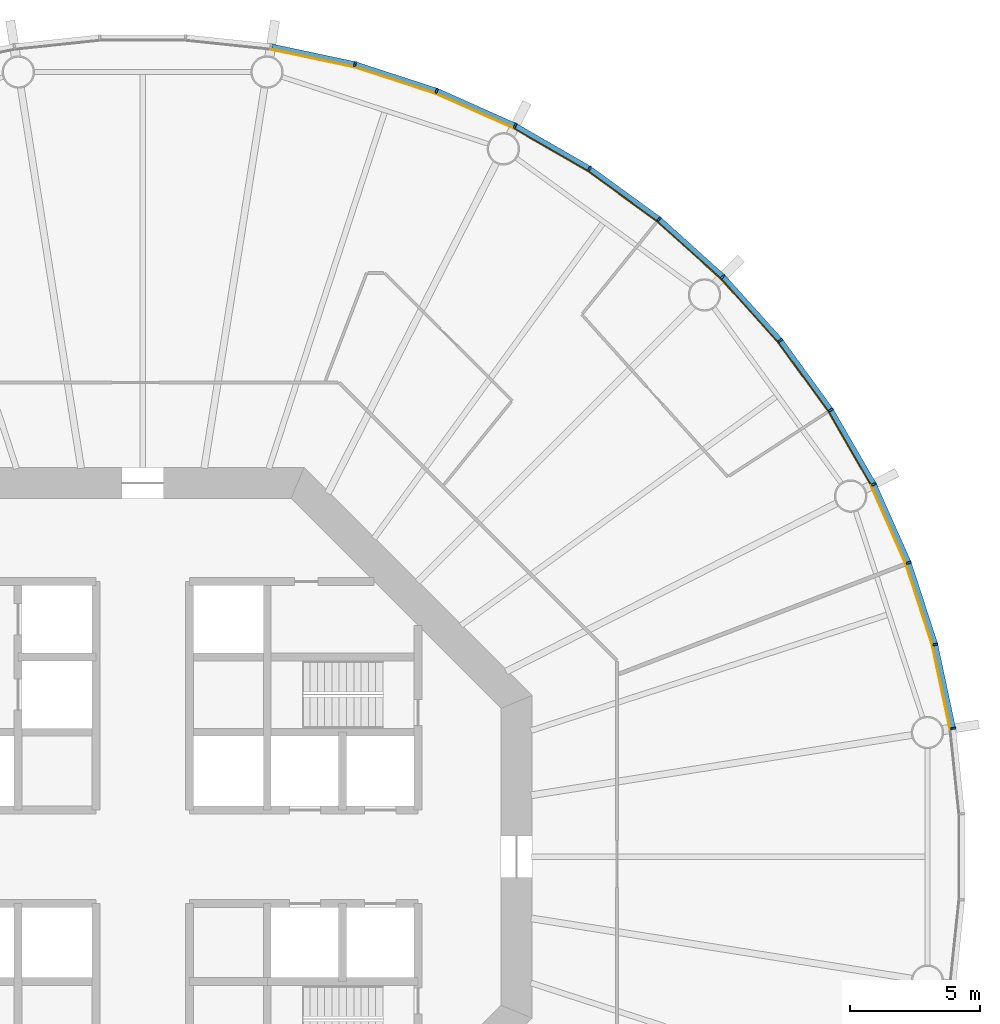
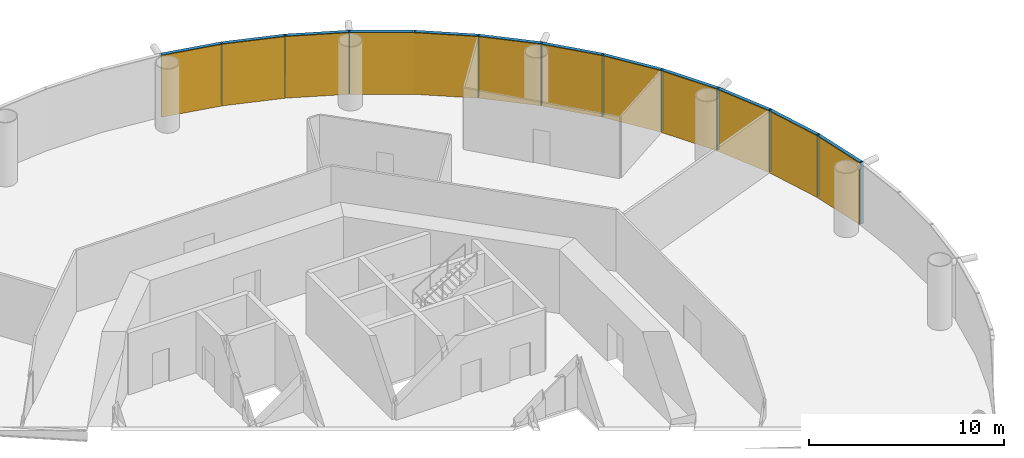
# One storey, part 11 of 12: 24 members, 4 curtain walls.
"""IFC4 building model written with IfcOpenShell, lengths in metres."""

from ifc_helpers import new_model, si_unit, direction, frame, origin, origin_2d, place, context, subcontext, project, spatial, polyline, rectangle, outline, extrude, material, layer, layer_set, material_profile, profile_set, type_object, element, aggregate, save


model = new_model("IFC4")

# Units and contexts
model_context = context("Model", 3, precision=1e-05, world=origin(), true_north=direction((0.0, 1.0)))
body_context = subcontext(model_context, "Body", "Model", "MODEL_VIEW")
ifc_project = project(units=[si_unit("LENGTHUNIT", "METRE"), si_unit("AREAUNIT", "SQUARE_METRE"), si_unit("VOLUMEUNIT", "CUBIC_METRE"), si_unit("PLANEANGLEUNIT", "RADIAN"), si_unit("MASSUNIT", "GRAM", prefix="KILO")], contexts=[model_context])

# Member
ifc_material_1 = material(Name="Anodised aluminium", Category="aluminium")
ifc_material_profile_1 = material_profile(ifc_material_1, rectangle(XDim=0.070068359375, YDim=0.199951171875, at=origin_2d()), Name="Mullion 70 x 200 mm anodised aluminium")
ifc_profile_set_1 = profile_set([ifc_material_profile_1], Name="Anodised aluminium")
member_type_1 = type_object("IfcMemberType", Name="Mullion 70 x 200 mm anodised aluminium", PredefinedType="MULLION", material=ifc_profile_set_1)
site_placement = place(None, origin())
building_placement = place(site_placement, origin())
storey_placement = place(building_placement, frame((0.0, 0.0, 128.0)))
member_1_placement = place(storey_placement, frame((121.2109375, 84.943359375, 0.0), z_axis=(0.0, 0.0, 1.0), x_axis=(-0.15643446504, 0.987688340595, 0.0)))
member_1 = element("IfcMember", 1, at=member_1_placement, type_object=member_type_1, Name="MULLION L29-00", PredefinedType="MULLION", context=body_context, shape_type="SweptSolid", body=[
    extrude(rectangle(XDim=0.070068359375, YDim=0.199951171875, at=origin_2d()), origin(), (0.0, 0.0, 1.0), 3.85009765625),
])

member_2_placement = place(storey_placement, frame((120.523193359375, 88.1787109375, 0.0), z_axis=(0.0, 0.0, 1.0), x_axis=(-0.258819045103, 0.965925826289, 0.0)))
member_2 = element("IfcMember", 2, at=member_2_placement, type_object=member_type_1, Name="MULLION L29-01", PredefinedType="MULLION", context=body_context, shape_type="SweptSolid", body=[
    extrude(rectangle(XDim=0.070068359375, YDim=0.199951171875, at=origin_2d()), origin(), (0.0, 0.0, 1.0), 3.85009765625),
])

member_3_placement = place(storey_placement, frame((119.501220703125, 91.324462890625, 0.0), z_axis=(0.0, 0.0, 1.0), x_axis=(-0.358367949545, 0.933580426497, 0.0)))
member_3 = element("IfcMember", 3, at=member_3_placement, type_object=member_type_1, Name="MULLION L29-02", PredefinedType="MULLION", context=body_context, shape_type="SweptSolid", body=[
    extrude(rectangle(XDim=0.070068359375, YDim=0.199951171875, at=origin_2d()), origin(), (0.0, 0.0, 1.0), 3.85009765625),
])

member_4_placement = place(storey_placement, frame((118.15576171875, 94.34619140625, 0.0), z_axis=(0.0, 0.0, 1.0), x_axis=(-0.45399049974, 0.891006524188, 0.0)))
member_4 = element("IfcMember", 4, at=member_4_placement, type_object=member_type_1, Name="MULLION L29-03", PredefinedType="MULLION", context=body_context, shape_type="SweptSolid", body=[
    extrude(rectangle(XDim=0.070068359375, YDim=0.199951171875, at=origin_2d()), origin(), (0.0, 0.0, 1.0), 3.85009765625),
])

member_5_placement = place(storey_placement, frame((116.501953125, 97.210693359375, 0.0), z_axis=(0.0, 0.0, 1.0), x_axis=(-0.544639035015, 0.838670567945, 0.0)))
member_5 = element("IfcMember", 5, at=member_5_placement, type_object=member_type_1, Name="MULLION L29-04", PredefinedType="MULLION", context=body_context, shape_type="SweptSolid", body=[
    extrude(rectangle(XDim=0.070068359375, YDim=0.199951171875, at=origin_2d()), origin(), (0.0, 0.0, 1.0), 3.85009765625),
])

member_6_placement = place(storey_placement, frame((114.557861328125, 99.886474609375, 0.0), z_axis=(0.0, 0.0, 1.0), x_axis=(-0.62932039105, 0.777145961457, 0.0)))
member_6 = element("IfcMember", 6, at=member_6_placement, type_object=member_type_1, Name="MULLION L29-05", PredefinedType="MULLION", context=body_context, shape_type="SweptSolid", body=[
    extrude(rectangle(XDim=0.070068359375, YDim=0.199951171875, at=origin_2d()), origin(), (0.0, 0.0, 1.0), 3.85009765625),
])

member_7_placement = place(storey_placement, frame((112.344482421875, 102.344482421875, 0.0), z_axis=(0.0, 0.0, 1.0), x_axis=(-0.707106781187, 0.707106781187, 0.0)))
member_7 = element("IfcMember", 7, at=member_7_placement, type_object=member_type_1, Name="MULLION L29-06", PredefinedType="MULLION", context=body_context, shape_type="SweptSolid", body=[
    extrude(rectangle(XDim=0.070068359375, YDim=0.199951171875, at=origin_2d()), origin(), (0.0, 0.0, 1.0), 3.85009765625),
])

member_8_placement = place(storey_placement, frame((109.886474609375, 104.557861328125, 0.0), z_axis=(0.0, 0.0, 1.0), x_axis=(-0.777145961457, 0.62932039105, 0.0)))
member_8 = element("IfcMember", 8, at=member_8_placement, type_object=member_type_1, Name="MULLION L29-07", PredefinedType="MULLION", context=body_context, shape_type="SweptSolid", body=[
    extrude(rectangle(XDim=0.070068359375, YDim=0.199951171875, at=origin_2d()), origin(), (0.0, 0.0, 1.0), 3.85009765625),
])

member_9_placement = place(storey_placement, frame((107.210693359375, 106.501953125, 0.0), z_axis=(0.0, 0.0, 1.0), x_axis=(-0.838670567945, 0.544639035015, 0.0)))
member_9 = element("IfcMember", 9, at=member_9_placement, type_object=member_type_1, Name="MULLION L29-08", PredefinedType="MULLION", context=body_context, shape_type="SweptSolid", body=[
    extrude(rectangle(XDim=0.070068359375, YDim=0.199951171875, at=origin_2d()), origin(), (0.0, 0.0, 1.0), 3.85009765625),
])

member_10_placement = place(storey_placement, frame((104.34619140625, 108.15576171875, 0.0), z_axis=(0.0, 0.0, 1.0), x_axis=(-0.891006524188, 0.45399049974, 0.0)))
member_10 = element("IfcMember", 10, at=member_10_placement, type_object=member_type_1, Name="MULLION L29-09", PredefinedType="MULLION", context=body_context, shape_type="SweptSolid", body=[
    extrude(rectangle(XDim=0.070068359375, YDim=0.199951171875, at=origin_2d()), origin(), (0.0, 0.0, 1.0), 3.85009765625),
])

member_11_placement = place(storey_placement, frame((101.324462890625, 109.501220703125, 0.0), z_axis=(0.0, 0.0, 1.0), x_axis=(-0.933580426497, 0.358367949545, 0.0)))
member_11 = element("IfcMember", 11, at=member_11_placement, type_object=member_type_1, Name="MULLION L29-10", PredefinedType="MULLION", context=body_context, shape_type="SweptSolid", body=[
    extrude(rectangle(XDim=0.070068359375, YDim=0.199951171875, at=origin_2d()), origin(), (0.0, 0.0, 1.0), 3.85009765625),
])

member_12_placement = place(storey_placement, frame((98.1787109375, 110.523193359375, 0.0), z_axis=(0.0, 0.0, 1.0), x_axis=(-0.965925826289, 0.258819045103, 0.0)))
member_12 = element("IfcMember", 12, at=member_12_placement, type_object=member_type_1, Name="MULLION L29-11", PredefinedType="MULLION", context=body_context, shape_type="SweptSolid", body=[
    extrude(rectangle(XDim=0.070068359375, YDim=0.199951171875, at=origin_2d()), origin(), (0.0, 0.0, 1.0), 3.85009765625),
])

ifc_material_2 = material(Name="Anodised aluminium", Category="aluminium")
ifc_material_profile_2 = material_profile(ifc_material_2, rectangle(XDim=0.199951171875, YDim=0.18994140625, at=origin_2d()), Name="Transom 190 x 200 mm anodised aluminium")
ifc_profile_set_2 = profile_set([ifc_material_profile_2], Name="Anodised aluminium")
member_type_2 = type_object("IfcMemberType", Name="Transom 190 x 200 mm anodised aluminium", PredefinedType="USERDEFINED", material=ifc_profile_set_2)
member_13_placement = place(storey_placement, frame((121.20263671875, 84.982666015625, 3.7548828125), z_axis=(-0.207885898771, 0.978153082647, 0.0), x_axis=(-0.978153082647, -0.207885898771, 0.0)))
member_13 = element("IfcMember", 13, at=member_13_placement, type_object=member_type_2, Name="TRANSOM L29-00", ObjectType="TRANSOM", PredefinedType="USERDEFINED", context=body_context, shape_type="SweptSolid", body=[
    extrude(rectangle(XDim=0.199951171875, YDim=0.18994140625, at=origin_2d()), origin(), (0.0, 0.0, 1.0), 3.227294921875),
])

member_14_placement = place(storey_placement, frame((120.510986328125, 88.217041015625, 3.7548828125), z_axis=(-0.309046726844, 0.951046855117, 0.0), x_axis=(-0.951046855117, -0.309046726844, 0.0)))
member_14 = element("IfcMember", 14, at=member_14_placement, type_object=member_type_2, Name="TRANSOM L29-01", ObjectType="TRANSOM", PredefinedType="USERDEFINED", context=body_context, shape_type="SweptSolid", body=[
    extrude(rectangle(XDim=0.199951171875, YDim=0.18994140625, at=origin_2d()), origin(), (0.0, 0.0, 1.0), 3.22705078125),
])

member_15_placement = place(storey_placement, frame((119.48486328125, 91.361328125, 3.7548828125), z_axis=(-0.406728032322, 0.913549291349, 0.0), x_axis=(-0.913549291349, -0.406728032322, 0.0)))
member_15 = element("IfcMember", 15, at=member_15_placement, type_object=member_type_2, Name="TRANSOM L29-02", ObjectType="TRANSOM", PredefinedType="USERDEFINED", context=body_context, shape_type="SweptSolid", body=[
    extrude(rectangle(XDim=0.199951171875, YDim=0.18994140625, at=origin_2d()), origin(), (0.0, 0.0, 1.0), 3.22705078125),
])

member_16_placement = place(storey_placement, frame((118.1357421875, 94.381103515625, 3.7548828125), z_axis=(-0.500004055213, 0.866023062494, 0.0), x_axis=(-0.866023062494, -0.500004055213, 0.0)))
member_16 = element("IfcMember", 16, at=member_16_placement, type_object=member_type_2, Name="TRANSOM L29-03", ObjectType="TRANSOM", PredefinedType="USERDEFINED", context=body_context, shape_type="SweptSolid", body=[
    extrude(rectangle(XDim=0.199951171875, YDim=0.18994140625, at=origin_2d()), origin(), (0.0, 0.0, 1.0), 3.22705078125),
])

member_17_placement = place(storey_placement, frame((116.478515625, 97.2431640625, 3.7548828125), z_axis=(-0.587802790201, 0.809004252048, 0.0), x_axis=(-0.809004252048, -0.587802790201, 0.0)))
member_17 = element("IfcMember", 17, at=member_17_placement, type_object=member_type_2, Name="TRANSOM L29-04", ObjectType="TRANSOM", PredefinedType="USERDEFINED", context=body_context, shape_type="SweptSolid", body=[
    extrude(rectangle(XDim=0.199951171875, YDim=0.18994140625, at=origin_2d()), origin(), (0.0, 0.0, 1.0), 3.227294921875),
])

member_18_placement = place(storey_placement, frame((114.531005859375, 99.91650390625, 3.7548828125), z_axis=(-0.669144438484, 0.743132370743, 0.0), x_axis=(-0.743132370743, -0.669144438484, 0.0)))
member_18 = element("IfcMember", 18, at=member_18_placement, type_object=member_type_2, Name="TRANSOM L29-05", ObjectType="TRANSOM", PredefinedType="USERDEFINED", context=body_context, shape_type="SweptSolid", body=[
    extrude(rectangle(XDim=0.199951171875, YDim=0.18994140625, at=origin_2d()), origin(), (0.0, 0.0, 1.0), 3.22705078125),
])

member_19_placement = place(storey_placement, frame((112.314697265625, 102.37158203125, 3.7548828125), z_axis=(-0.743132370743, 0.669144438484, 0.0), x_axis=(-0.669144438484, -0.743132370743, 0.0)))
member_19 = element("IfcMember", 19, at=member_19_placement, type_object=member_type_2, Name="TRANSOM L29-06", ObjectType="TRANSOM", PredefinedType="USERDEFINED", context=body_context, shape_type="SweptSolid", body=[
    extrude(rectangle(XDim=0.199951171875, YDim=0.18994140625, at=origin_2d()), origin(), (0.0, 0.0, 1.0), 3.22705078125),
])

member_20_placement = place(storey_placement, frame((109.85400390625, 104.58154296875, 3.7548828125), z_axis=(-0.809004252048, 0.587802790201, 0.0), x_axis=(-0.587802790201, -0.809004252048, 0.0)))
member_20 = element("IfcMember", 20, at=member_20_placement, type_object=member_type_2, Name="TRANSOM L29-07", ObjectType="TRANSOM", PredefinedType="USERDEFINED", context=body_context, shape_type="SweptSolid", body=[
    extrude(rectangle(XDim=0.199951171875, YDim=0.18994140625, at=origin_2d()), origin(), (0.0, 0.0, 1.0), 3.227294921875),
])

member_21_placement = place(storey_placement, frame((107.17578125, 106.522216796875, 3.7548828125), z_axis=(-0.866023062494, 0.500004055213, 0.0), x_axis=(-0.500004055213, -0.866023062494, 0.0)))
member_21 = element("IfcMember", 21, at=member_21_placement, type_object=member_type_2, Name="TRANSOM L29-08", ObjectType="TRANSOM", PredefinedType="USERDEFINED", context=body_context, shape_type="SweptSolid", body=[
    extrude(rectangle(XDim=0.199951171875, YDim=0.18994140625, at=origin_2d()), origin(), (0.0, 0.0, 1.0), 3.22705078125),
])

member_22_placement = place(storey_placement, frame((104.309326171875, 108.17236328125, 3.7548828125), z_axis=(-0.913549291349, 0.406728032322, 0.0), x_axis=(-0.406728032322, -0.913549291349, 0.0)))
member_22 = element("IfcMember", 22, at=member_22_placement, type_object=member_type_2, Name="TRANSOM L29-09", ObjectType="TRANSOM", PredefinedType="USERDEFINED", context=body_context, shape_type="SweptSolid", body=[
    extrude(rectangle(XDim=0.199951171875, YDim=0.18994140625, at=origin_2d()), origin(), (0.0, 0.0, 1.0), 3.22705078125),
])

member_23_placement = place(storey_placement, frame((101.2861328125, 109.513671875, 3.7548828125), z_axis=(-0.951046855117, 0.309046726844, 0.0), x_axis=(-0.309046726844, -0.951046855117, 0.0)))
member_23 = element("IfcMember", 23, at=member_23_placement, type_object=member_type_2, Name="TRANSOM L29-10", ObjectType="TRANSOM", PredefinedType="USERDEFINED", context=body_context, shape_type="SweptSolid", body=[
    extrude(rectangle(XDim=0.199951171875, YDim=0.18994140625, at=origin_2d()), origin(), (0.0, 0.0, 1.0), 3.22705078125),
])

member_24_placement = place(storey_placement, frame((98.139404296875, 110.53173828125, 3.7548828125), z_axis=(-0.978153082647, 0.207885898771, 0.0), x_axis=(-0.207885898771, -0.978153082647, 0.0)))
member_24 = element("IfcMember", 24, at=member_24_placement, type_object=member_type_2, Name="TRANSOM L29-11", ObjectType="TRANSOM", PredefinedType="USERDEFINED", context=body_context, shape_type="SweptSolid", body=[
    extrude(rectangle(XDim=0.199951171875, YDim=0.18994140625, at=origin_2d()), origin(), (0.0, 0.0, 1.0), 3.227294921875),
])

# Site, building, storey
site = spatial("IfcSite", under=ifc_project, at=site_placement, CompositionType="ELEMENT")
building = spatial("IfcBuilding", under=site, at=building_placement, Name="Entoto Ring Tower", CompositionType="ELEMENT")
storey = spatial("IfcBuildingStorey", under=building, at=storey_placement, Name="L29", CompositionType="ELEMENT", Elevation=128.0)

# Curtain wall
ifc_material_3 = material(Name="Clear low-iron glass", Category="glass")
ifc_layer = layer(ifc_material_3, 0.035888671875)
ifc_layer_set = layer_set([ifc_layer], Name="Clear low-iron glass")
curtain_wall_type = type_object("IfcCurtainWallType", Name="Curtain wall system CW2 glazing 36 mm", PredefinedType="NOTDEFINED", material=ifc_layer_set)
curtain_wall_1_placement = place(storey_placement, origin())
curtain_wall_1 = element("IfcCurtainWall", 25, at=curtain_wall_1_placement, inside=storey, type_object=curtain_wall_type, Name="CW2 L29-01", PredefinedType="NOTDEFINED", context=body_context, shape_type="SweptSolid", body=[
    extrude(outline(polyline([(121.1123046875, 84.927734375), (120.4267578125, 88.15283203125), (119.40771484375, 91.28857421875), (118.066650390625, 94.30078125), (118.03466796875, 94.284423828125), (119.3740234375, 91.275634765625), (120.391845703125, 88.1435546875), (121.07666015625, 84.922119140625), (121.1123046875, 84.927734375)])), origin(), (0.0, 0.0, 1.0), 3.85009765625),
])

aggregate(curtain_wall_1, [member_1, member_2, member_3, member_13, member_14, member_15])

curtain_wall_2_placement = place(storey_placement, origin())
curtain_wall_2 = element("IfcCurtainWall", 26, at=curtain_wall_2_placement, inside=storey, type_object=curtain_wall_type, Name="CW2 L29-02", PredefinedType="NOTDEFINED", context=body_context, shape_type="SweptSolid", body=[
    extrude(outline(polyline([(118.066650390625, 94.30078125), (116.418212890625, 97.15625), (114.47998046875, 99.823486328125), (112.27392578125, 102.27392578125), (112.248291015625, 102.248291015625), (114.4521484375, 99.801025390625), (116.387939453125, 97.136474609375), (118.03466796875, 94.284423828125), (118.066650390625, 94.30078125)])), origin(), (0.0, 0.0, 1.0), 3.85009765625),
])

aggregate(curtain_wall_2, [member_4, member_5, member_6, member_16, member_17, member_18])

curtain_wall_3_placement = place(storey_placement, origin())
curtain_wall_3 = element("IfcCurtainWall", 27, at=curtain_wall_3_placement, inside=storey, type_object=curtain_wall_type, Name="CW2 L29-03", PredefinedType="NOTDEFINED", context=body_context, shape_type="SweptSolid", body=[
    extrude(outline(polyline([(112.27392578125, 102.27392578125), (109.823486328125, 104.47998046875), (107.15625, 106.418212890625), (104.30078125, 108.066650390625), (104.284423828125, 108.03466796875), (107.136474609375, 106.387939453125), (109.801025390625, 104.4521484375), (112.248291015625, 102.248291015625), (112.27392578125, 102.27392578125)])), origin(), (0.0, 0.0, 1.0), 3.85009765625),
])

aggregate(curtain_wall_3, [member_7, member_8, member_9, member_19, member_20, member_21])

curtain_wall_4_placement = place(storey_placement, origin())
curtain_wall_4 = element("IfcCurtainWall", 28, at=curtain_wall_4_placement, inside=storey, type_object=curtain_wall_type, Name="CW2 L29-04", PredefinedType="NOTDEFINED", context=body_context, shape_type="SweptSolid", body=[
    extrude(outline(polyline([(104.30078125, 108.066650390625), (101.28857421875, 109.40771484375), (98.15283203125, 110.4267578125), (94.927734375, 111.1123046875), (94.922119140625, 111.07666015625), (98.1435546875, 110.391845703125), (101.275634765625, 109.3740234375), (104.284423828125, 108.03466796875), (104.30078125, 108.066650390625)])), origin(), (0.0, 0.0, 1.0), 3.85009765625),
])

aggregate(curtain_wall_4, [member_10, member_11, member_12, member_22, member_23, member_24])

save(model, "model.ifc")
